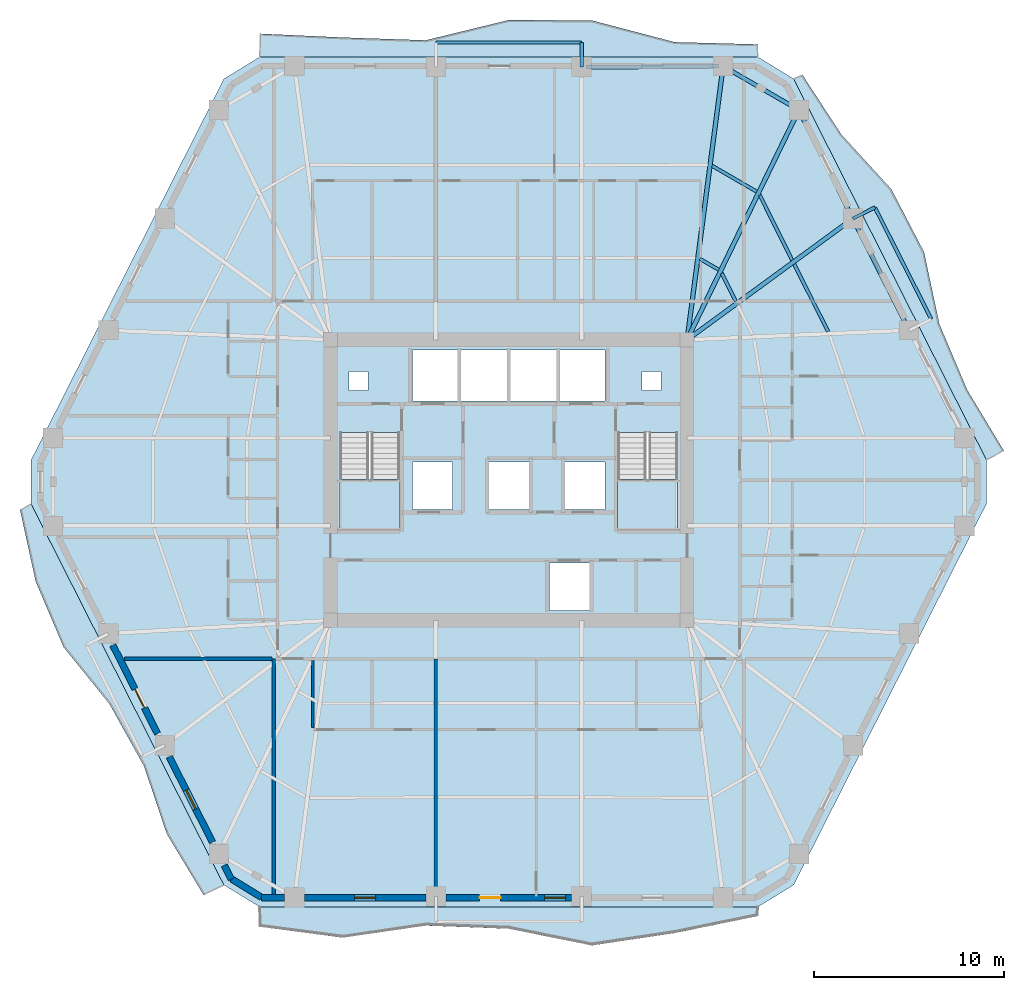
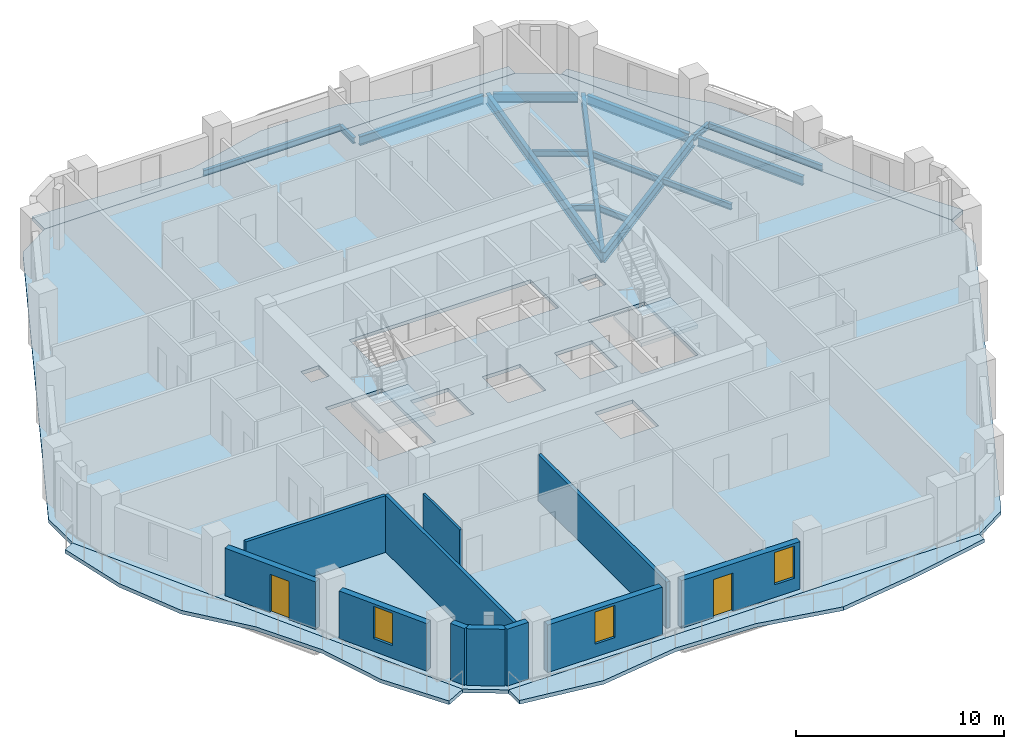
# One storey, part 3 of 11: 16 beams, 11 walls, 7 slabs, 3 windows, 2 doors, 5 openings, 2 elements without a shape of their own.
"""IFC4 building model written with IfcOpenShell, lengths in metres."""

import ifcopenshell
import ifcopenshell.guid

model = None  # the IFC model being written
_history = None  # IfcOwnerHistory: only IFC2X3 demands one
_inside = {}  # id of a spatial element -> (the spatial element, [elements in it])
_under = {}  # id of a project, library or spatial element -> (it, [spatial elements below it])
_declared = {}  # id of a project -> (the project, [libraries it declares])
_typed = {}  # id of a type object -> (the type object, [elements of that type])
_made_of = {}  # id of a material, layer set ... -> (it, [elements and type objects made of it])


def new_model(schema):
    """Start an empty IFC model of exactly this schema.

    Asked for "IFC4X3", IfcOpenShell would pick the latest addendum, in which some entities
    have other attributes; the version numbers below select the first issue.
    IFC2X3 requires an IfcOwnerHistory on every rooted entity: one is made here for all.
    """
    global model, _history
    if schema == "IFC4X3":
        model = ifcopenshell.file(schema_version=(4, 3, 0, 0))
    else:
        model = ifcopenshell.file(schema=schema)
    _inside.clear()
    _under.clear()
    _declared.clear()
    _typed.clear()
    _made_of.clear()
    _history = None
    if model.schema == "IFC2X3":
        org = make("IfcOrganization", Name="unknown")
        user = make(
            "IfcPersonAndOrganization",
            ThePerson=make("IfcPerson", FamilyName="unknown"),
            TheOrganization=org,
        )
        app = make(
            "IfcApplication",
            ApplicationDeveloper=org,
            Version="unknown",
            ApplicationFullName="unknown",
            ApplicationIdentifier="unknown",
        )
        _history = make(
            "IfcOwnerHistory",
            OwningUser=user,
            OwningApplication=app,
            ChangeAction="ADDED",
            CreationDate=0,
        )
    return model


def make(cls, **values):
    """One entity of the class cls with the attributes given. An attribute that is None is left unset."""
    return model.create_entity(
        cls, **{name: value for name, value in values.items() if value is not None}
    )


def rooted(cls, **values):
    """An entity with a GlobalId (a new one), such as an element, a storey or a relation."""
    return make(cls, GlobalId=ifcopenshell.guid.new(), OwnerHistory=_history, **values)


def si_unit(unit_type, name, prefix=None):
    """IfcSIUnit, for example si_unit("LENGTHUNIT", "METRE", prefix="MILLI")."""
    return make("IfcSIUnit", UnitType=unit_type, Prefix=prefix, Name=name)


def assignment(units):
    """IfcUnitAssignment: the units of a project."""
    return None if units is None else make("IfcUnitAssignment", Units=units)


def point(xyz):
    """IfcCartesianPoint."""
    return None if xyz is None else make("IfcCartesianPoint", Coordinates=xyz)


def direction(xyz):
    """IfcDirection."""
    return None if xyz is None else make("IfcDirection", DirectionRatios=xyz)


def frame(location, z_axis=None, x_axis=None):
    """IfcAxis2Placement3D, a coordinate frame: its origin and axes. An axis left out is left unset."""
    return make(
        "IfcAxis2Placement3D",
        Location=point(location),
        Axis=direction(z_axis),
        RefDirection=direction(x_axis),
    )


def frame_2d(location, x_axis=None):
    """IfcAxis2Placement2D, a coordinate frame in the plane: its origin and x axis."""
    return make(
        "IfcAxis2Placement2D", Location=point(location), RefDirection=direction(x_axis)
    )


def origin():
    """The frame at (0, 0, 0) with its axes left unset."""
    return frame((0.0, 0.0, 0.0))


def origin_2d():
    """The frame at (0, 0) in the plane with its x axis left unset."""
    return frame_2d((0.0, 0.0))


def place(relative_to, where):
    """IfcLocalPlacement: puts the frame where relative to a parent placement (None: the world)."""
    return make(
        "IfcLocalPlacement", PlacementRelTo=relative_to, RelativePlacement=where
    )


def context(
    kind, dimensions, precision=None, world=None, true_north=None, identifier=None
):
    """IfcGeometricRepresentationContext, for example the 3D "Model" context."""
    return make(
        "IfcGeometricRepresentationContext",
        ContextIdentifier=identifier,
        ContextType=kind,
        CoordinateSpaceDimension=dimensions,
        Precision=precision,
        WorldCoordinateSystem=world,
        TrueNorth=true_north,
    )


def subcontext(parent, identifier, kind, view, scale=None):
    """IfcGeometricRepresentationSubContext, for example "Body" below "Model"."""
    return make(
        "IfcGeometricRepresentationSubContext",
        ContextIdentifier=identifier,
        ContextType=kind,
        ParentContext=parent,
        TargetScale=scale,
        TargetView=view,
    )


def project(units=None, contexts=None):
    """IfcProject with its units and contexts."""
    return rooted(
        "IfcProject",
        Name="project",
        RepresentationContexts=contexts,
        UnitsInContext=assignment(units),
    )


def spatial(cls, under=None, at=None, **own):
    """A site, building, storey or space (cls), placed at a placement, below another one or the project."""
    s = rooted(cls, ObjectPlacement=at, **own)
    if under is not None:
        _under.setdefault(under.id(), (under, []))[1].append(s)
    return s


def polyline(points):
    """IfcPolyline through the points."""
    return make("IfcPolyline", Points=[point(p) for p in points])


def profile(cls, at=None, kind="AREA", **sizes):
    """A parametric profile (cls). Its sizes go by their IFC names, for example OverallWidth=200.0."""
    return make(cls, ProfileType=kind, Position=at, **sizes)


def rectangle(**sizes):
    """IfcRectangleProfileDef."""
    return profile("IfcRectangleProfileDef", **sizes)


def i_section(**sizes):
    """IfcIShapeProfileDef."""
    return profile("IfcIShapeProfileDef", **sizes)


def outline(outer, holes=None, kind="AREA"):
    """IfcArbitraryClosedProfileDef: a profile drawn as a closed curve; with holes, ...WithVoids."""
    if holes is None:
        return make("IfcArbitraryClosedProfileDef", ProfileType=kind, OuterCurve=outer)
    return make(
        "IfcArbitraryProfileDefWithVoids",
        ProfileType=kind,
        OuterCurve=outer,
        InnerCurves=holes,
    )


def extrude(swept, where, along, depth):
    """IfcExtrudedAreaSolid: the profile swept, set in the frame where, extruded along a direction by depth."""
    return make(
        "IfcExtrudedAreaSolid",
        SweptArea=swept,
        Position=where,
        ExtrudedDirection=direction(along),
        Depth=depth,
    )


def shape(context_of_items, identifier, shape_type, items):
    """IfcShapeRepresentation: the items that make up one representation, for example the "Body"."""
    return make(
        "IfcShapeRepresentation",
        ContextOfItems=context_of_items,
        RepresentationIdentifier=identifier,
        RepresentationType=shape_type,
        Items=items,
    )


def material(Name=None, Category=None):
    """IfcMaterial."""
    return make("IfcMaterial", Name=Name, Category=Category)


def layer(
    of_material, thickness, ventilated=None, Name=None, Category=None, Priority=None
):
    """IfcMaterialLayer: one layer of a wall or slab, of a material (None: an air gap)."""
    return make(
        "IfcMaterialLayer",
        Material=of_material,
        LayerThickness=thickness,
        IsVentilated=ventilated,
        Name=Name,
        Category=Category,
        Priority=Priority,
    )


def layer_set(layers, Name=None):
    """IfcMaterialLayerSet."""
    return make("IfcMaterialLayerSet", MaterialLayers=layers, LayerSetName=Name)


def material_profile(
    of_material, cross_section, Name=None, Category=None, Priority=None
):
    """IfcMaterialProfile: a cross section and its material."""
    return make(
        "IfcMaterialProfile",
        Name=Name,
        Material=of_material,
        Profile=cross_section,
        Priority=Priority,
        Category=Category,
    )


def profile_set(profiles, Name=None, composite=None):
    """IfcMaterialProfileSet."""
    return make(
        "IfcMaterialProfileSet",
        Name=Name,
        MaterialProfiles=profiles,
        CompositeProfile=composite,
    )


def made_of(thing, what):
    """Note that an element or type object is made of a material, layer set ...; save() writes the relation."""
    if what is not None:
        _made_of.setdefault(what.id(), (what, []))[1].append(thing)
    return thing


def type_object(cls, material=None, **own):
    """A type object (cls), such as IfcWallType, which elements share."""
    return made_of(rooted(cls, **own), material)


def element(
    cls,
    number,
    at=None,
    inside=None,
    cuts=None,
    type_object=None,
    material=None,
    context=None,
    identifier="Body",
    shape_type=None,
    held_by="IfcProductDefinitionShape",
    body=None,
    shapes=None,
    **own,
):
    """One element of the class cls, such as IfcWall. Its Tag is "e" and its number.

    at: its placement. inside: the storey or other place that contains it. cuts: it is an
    opening in that element (IfcRelVoidsElement). A single representation is given by context,
    identifier, shape_type and body (its items); several are given by shapes. held_by: the class
    of the entity that holds the representations. save() writes the other relations.
    """
    e = rooted(cls, Tag="e%d" % number, ObjectPlacement=at, **own)
    if body is not None:
        shapes = [shape(context, identifier, shape_type, body)]
    if shapes is not None:
        e.Representation = make(held_by, Representations=shapes)
    if inside is not None:
        _inside.setdefault(inside.id(), (inside, []))[1].append(e)
    if cuts is not None:
        rooted(
            "IfcRelVoidsElement", RelatingBuildingElement=cuts, RelatedOpeningElement=e
        )
    if type_object is not None:
        _typed.setdefault(type_object.id(), (type_object, []))[1].append(e)
    return made_of(e, material)


def fill(opening, filler):
    """IfcRelFillsElement: the door or window that sits in an opening."""
    return rooted(
        "IfcRelFillsElement",
        RelatingOpeningElement=opening,
        RelatedBuildingElement=filler,
    )


def aggregate(whole, parts):
    """IfcRelAggregates: a whole, such as a stair, and the parts it consists of."""
    return rooted("IfcRelAggregates", RelatingObject=whole, RelatedObjects=parts)


def save(model, path):
    """Write the relations noted so far, then the file.

    IfcRelAggregates (storeys below a building ...), IfcRelContainedInSpatialStructure (elements
    in a storey), IfcRelDefinesByType, IfcRelAssociatesMaterial and IfcRelDeclares: one each for
    every whole, place, type object, material and project.
    """
    for whole, parts in _under.values():
        aggregate(whole, parts)
    for where, things in _inside.values():
        rooted(
            "IfcRelContainedInSpatialStructure",
            RelatedElements=things,
            RelatingStructure=where,
        )
    for kind, things in _typed.values():
        rooted("IfcRelDefinesByType", RelatedObjects=things, RelatingType=kind)
    for what, things in _made_of.values():
        rooted("IfcRelAssociatesMaterial", RelatedObjects=things, RelatingMaterial=what)
    for by, libraries in _declared.values():
        rooted("IfcRelDeclares", RelatingContext=by, RelatedDefinitions=libraries)
    model.write(path)


model = new_model("IFC4")

# Units and contexts
model_context = context("Model", 3, precision=1e-05, world=origin(), true_north=direction((0.0, 1.0)))
body_context = subcontext(model_context, "Body", "Model", "MODEL_VIEW")
ifc_project = project(units=[si_unit("LENGTHUNIT", "METRE"), si_unit("AREAUNIT", "SQUARE_METRE"), si_unit("VOLUMEUNIT", "CUBIC_METRE"), si_unit("PLANEANGLEUNIT", "RADIAN"), si_unit("MASSUNIT", "GRAM", prefix="KILO")], contexts=[model_context])

# Site, building, storey
site_placement = place(None, origin())
site = spatial("IfcSite", under=ifc_project, at=site_placement, CompositionType="ELEMENT")
building_placement = place(site_placement, origin())
building = spatial("IfcBuilding", under=site, at=building_placement, Name="Cinnabar Lancet Tower", CompositionType="ELEMENT")
storey_placement = place(building_placement, frame((0.0, 0.0, 133.89990234375)))
storey = spatial("IfcBuildingStorey", under=building, at=storey_placement, Name="L35", CompositionType="ELEMENT", Elevation=133.89990234375)

# Beams
ifc_material_1 = material(Name="Structural steel S355", Category="steel")
ifc_material_profile_1 = material_profile(ifc_material_1, i_section(OverallWidth=0.17138671875, OverallDepth=0.35498046875, WebThickness=0.00732421875, FlangeThickness=0.011474609375, FilletRadius=0.01025390625, at=origin_2d()), Name="UKB 356x171x51")
ifc_profile_set_1 = profile_set([ifc_material_profile_1], Name="Structural steel S355")
beam_type_1 = type_object("IfcBeamType", Name="STR-BM-JST-356", PredefinedType="JOIST", material=ifc_profile_set_1)
beam_1_placement = place(storey_placement, frame((49.19189453125, 33.70703125, -0.387939453125), z_axis=(-0.450606998706, 0.892722427587, 0.0), x_axis=(-0.892722427587, -0.450606998706, 0.0)))
element("IfcBeam", 1, at=beam_1_placement, inside=storey, type_object=beam_type_1, Name="L35 Secondary Floor Joist 27", PredefinedType="JOIST", context=body_context, shape_type="SweptSolid", body=[
    extrude(i_section(OverallWidth=0.17138671875, OverallDepth=0.35498046875, WebThickness=0.00732421875, FlangeThickness=0.011474609375, FilletRadius=0.01025390625, at=origin_2d()), origin(), (0.0, 0.0, 1.0), 3.967529296875),
])
beam_2_placement = place(storey_placement, frame((47.300048828125, 37.455078125, -0.387939453125), z_axis=(-0.445116798807, 0.895472520751, 0.0), x_axis=(-0.895472520751, -0.445116798807, 0.0)))
element("IfcBeam", 2, at=beam_2_placement, inside=storey, type_object=beam_type_1, Name="L35 Secondary Floor Joist 29", PredefinedType="JOIST", context=body_context, shape_type="SweptSolid", body=[
    extrude(i_section(OverallWidth=0.17138671875, OverallDepth=0.35498046875, WebThickness=0.00732421875, FlangeThickness=0.011474609375, FilletRadius=0.01025390625, at=origin_2d()), origin(), (0.0, 0.0, 1.0), 3.8212890625),
])
beam_3_placement = place(storey_placement, frame((44.337890625, 35.2900390625, -0.387939453125), z_axis=(-0.445677136949, 0.895193772097, 0.0), x_axis=(-0.895193772097, -0.445677136949, 0.0)))
element("IfcBeam", 3, at=beam_3_placement, inside=storey, type_object=beam_type_1, Name="L35 Secondary Floor Joist 30", PredefinedType="JOIST", context=body_context, shape_type="SweptSolid", body=[
    extrude(i_section(OverallWidth=0.17138671875, OverallDepth=0.35498046875, WebThickness=0.00732421875, FlangeThickness=0.011474609375, FilletRadius=0.01025390625, at=origin_2d()), origin(), (0.0, 0.0, 1.0), 1.6533203125),
])
beam_4_placement = place(storey_placement, frame((45.43505859375, 41.06298828125, -0.387939453125), z_axis=(-0.865172906898, 0.501473669469, 0.0), x_axis=(-0.501473669469, -0.865172906898, 0.0)))
element("IfcBeam", 4, at=beam_4_placement, inside=storey, type_object=beam_type_1, Name="L35 Secondary Floor Joist 31", PredefinedType="JOIST", context=body_context, shape_type="SweptSolid", body=[
    extrude(i_section(OverallWidth=0.17138671875, OverallDepth=0.35498046875, WebThickness=0.00732421875, FlangeThickness=0.011474609375, FilletRadius=0.01025390625, at=origin_2d()), origin(), (0.0, 0.0, 1.0), 2.705810546875),
])
beam_5_placement = place(storey_placement, frame((43.43798828125, 36.9560546875, -0.387939453125), z_axis=(-0.865055308165, 0.501676503154, 0.0), x_axis=(-0.501676503154, -0.865055308165, 0.0)))
element("IfcBeam", 5, at=beam_5_placement, inside=storey, type_object=beam_type_1, Name="L35 Secondary Floor Joist 32", PredefinedType="JOIST", context=body_context, shape_type="SweptSolid", body=[
    extrude(i_section(OverallWidth=0.17138671875, OverallDepth=0.35498046875, WebThickness=0.00732421875, FlangeThickness=0.011474609375, FilletRadius=0.01025390625, at=origin_2d()), origin(), (0.0, 0.0, 1.0), 1.14208984375),
])
ifc_material_2 = material(Name="Structural steel S355", Category="steel")
ifc_material_profile_2 = material_profile(ifc_material_2, i_section(OverallWidth=0.209228515625, OverallDepth=0.533203125, WebThickness=0.010009765625, FlangeThickness=0.015625, FilletRadius=0.0126953125, at=origin_2d()), Name="UKB 533x210x92")
ifc_profile_set_2 = profile_set([ifc_material_profile_2], Name="Structural steel S355")
beam_type_2 = type_object("IfcBeamType", Name="STR-BM-SPN-533", PredefinedType="SPANDREL", material=ifc_profile_set_2)
beam_6_placement = place(storey_placement, frame((53.339111328125, 33.9990234375, -0.476806640625), z_axis=(-0.450570325924, 0.892740937449, 0.0), x_axis=(-0.892740937449, -0.450570325924, 0.0)))
element("IfcBeam", 6, at=beam_6_placement, inside=storey, type_object=beam_type_2, Name="L35 Perimeter Spandrel 10", PredefinedType="SPANDREL", context=body_context, shape_type="SweptSolid", body=[
    extrude(i_section(OverallWidth=0.209228515625, OverallDepth=0.533203125, WebThickness=0.010009765625, FlangeThickness=0.015625, FilletRadius=0.0126953125, at=origin_2d()), origin(), (0.0, 0.0, 1.0), 6.07470703125),
])
beam_7_placement = place(storey_placement, frame((50.3779296875, 39.868896484375, -0.476806640625), z_axis=(-0.445501068635, 0.89528140707, 0.0), x_axis=(-0.89528140707, -0.445501068635, 0.0)))
element("IfcBeam", 7, at=beam_7_placement, inside=storey, type_object=beam_type_2, Name="L35 Perimeter Spandrel 11", PredefinedType="SPANDREL", context=body_context, shape_type="SweptSolid", body=[
    extrude(i_section(OverallWidth=0.209228515625, OverallDepth=0.533203125, WebThickness=0.010009765625, FlangeThickness=0.015625, FilletRadius=0.0126953125, at=origin_2d()), origin(), (0.0, 0.0, 1.0), 5.87646484375),
])
beam_8_placement = place(storey_placement, frame((47.43310546875, 45.47900390625, -0.476806640625), z_axis=(-0.865138129765, 0.5015336643, 0.0), x_axis=(-0.5015336643, -0.865138129765, 0.0)))
element("IfcBeam", 8, at=beam_8_placement, inside=storey, type_object=beam_type_2, Name="L35 Perimeter Spandrel 12", PredefinedType="SPANDREL", context=body_context, shape_type="SweptSolid", body=[
    extrude(i_section(OverallWidth=0.209228515625, OverallDepth=0.533203125, WebThickness=0.010009765625, FlangeThickness=0.015625, FilletRadius=0.0126953125, at=origin_2d()), origin(), (0.0, 0.0, 1.0), 4.10107421875),
])
beam_9_placement = place(storey_placement, frame((43.4189453125, 47.658935546875, -0.476806640625), z_axis=(-0.999975228682, -0.007038609338, 0.0), x_axis=(0.007038609338, -0.999975228682, 0.0)))
element("IfcBeam", 9, at=beam_9_placement, inside=storey, type_object=beam_type_2, Name="L35 Perimeter Spandrel 13", PredefinedType="SPANDREL", context=body_context, shape_type="SweptSolid", body=[
    extrude(i_section(OverallWidth=0.209228515625, OverallDepth=0.533203125, WebThickness=0.010009765625, FlangeThickness=0.015625, FilletRadius=0.0126953125, at=origin_2d()), origin(), (0.0, 0.0, 1.0), 6.937255859375),
])
ifc_material_3 = material(Name="Structural steel S355", Category="steel")
ifc_material_profile_3 = material_profile(ifc_material_3, i_section(OverallWidth=0.228271484375, OverallDepth=0.607666015625, WebThickness=0.010986328125, FlangeThickness=0.017333984375, FilletRadius=0.0126953125, at=origin_2d()), Name="UKB 610x229x113")
ifc_profile_set_3 = profile_set([ifc_material_profile_3], Name="Structural steel S355")
beam_type_3 = type_object("IfcBeamType", Name="STR-BM-UKB610-113", PredefinedType="BEAM", material=ifc_profile_set_3)
beam_10_placement = place(storey_placement, frame((50.489013671875, 39.64501953125, -0.513916015625), z_axis=(-0.807297870919, -0.590144175273, 0.0), x_axis=(0.590144175273, -0.807297870919, 0.0)))
element("IfcBeam", 10, at=beam_10_placement, inside=storey, type_object=beam_type_3, Name="L35 Corner Collector Girder 3", PredefinedType="BEAM", context=body_context, shape_type="SweptSolid", body=[
    extrude(i_section(OverallWidth=0.228271484375, OverallDepth=0.607666015625, WebThickness=0.010986328125, FlangeThickness=0.017333984375, FilletRadius=0.0126953125, at=origin_2d()), origin(), (0.0, 0.0, 1.0), 10.794189453125),
])
beam_11_placement = place(storey_placement, frame((47.64892578125, 45.35400390625, -0.513916015625), z_axis=(-0.437327473227, -0.899302330232, 0.0), x_axis=(0.899302330232, -0.437327473227, 0.0)))
element("IfcBeam", 11, at=beam_11_placement, inside=storey, type_object=beam_type_3, Name="L35 Primary Floor Girder 12", PredefinedType="BEAM", context=body_context, shape_type="SweptSolid", body=[
    extrude(i_section(OverallWidth=0.228271484375, OverallDepth=0.607666015625, WebThickness=0.010986328125, FlangeThickness=0.017333984375, FilletRadius=0.0126953125, at=origin_2d()), origin(), (0.0, 0.0, 1.0), 13.431640625),
])
beam_12_placement = place(storey_placement, frame((43.6689453125, 47.660888671875, -0.513916015625), z_axis=(-0.130532420418, -0.991444041396, 0.0), x_axis=(0.991444041396, -0.130532420418, 0.0)))
element("IfcBeam", 12, at=beam_12_placement, inside=storey, type_object=beam_type_3, Name="L35 Primary Floor Girder 13", PredefinedType="BEAM", context=body_context, shape_type="SweptSolid", body=[
    extrude(i_section(OverallWidth=0.228271484375, OverallDepth=0.607666015625, WebThickness=0.010986328125, FlangeThickness=0.017333984375, FilletRadius=0.0126953125, at=origin_2d()), origin(), (0.0, 0.0, 1.0), 14.51025390625),
])
ifc_material_4 = material(Name="Structural steel S355", Category="steel")
ifc_material_profile_4 = material_profile(ifc_material_4, i_section(OverallWidth=0.17138671875, OverallDepth=0.35498046875, WebThickness=0.00732421875, FlangeThickness=0.011474609375, FilletRadius=0.01025390625, at=origin_2d()), Name="UKB 356x171x51")
ifc_profile_set_4 = profile_set([ifc_material_profile_4], Name="Structural steel S355")
beam_type_4 = type_object("IfcBeamType", Name="STR-BM-WAV-OUT", PredefinedType="BEAM", material=ifc_profile_set_4)
for number, where, z_axis, x_axis, name in (
    (13, (50.489013671875, 39.64501953125, -0.39794921875), (0.89227592947, 0.451490493464, 0.0), (-0.451490493464, 0.89227592947, 0.0), "L35 Face 3 Balcony Outlooker B"),
    (14, (36.23193359375, 47.60791015625, -0.39794921875), (0.0, 1.0, 0.0), (-1.0, 0.0, 0.0), "L35 Face 4 Balcony Outlooker A"),
):
    element("IfcBeam", number, at=place(storey_placement, frame(where, z_axis=z_axis, x_axis=x_axis)), inside=storey, type_object=beam_type_4, Name=name, PredefinedType="BEAM", context=body_context, shape_type="SweptSolid", body=[
        extrude(i_section(OverallWidth=0.17138671875, OverallDepth=0.35498046875, WebThickness=0.00732421875, FlangeThickness=0.011474609375, FilletRadius=0.01025390625, at=origin_2d()), origin(), (0.0, 0.0, 1.0), 1.300048828125),
    ])
ifc_material_5 = material(Name="Structural steel S355", Category="steel")
ifc_material_profile_5 = material_profile(ifc_material_5, i_section(OverallWidth=0.17138671875, OverallDepth=0.35498046875, WebThickness=0.00732421875, FlangeThickness=0.011474609375, FilletRadius=0.01025390625, at=origin_2d()), Name="UKB 356x171x51")
ifc_profile_set_5 = profile_set([ifc_material_profile_5], Name="Structural steel S355")
beam_type_5 = type_object("IfcBeamType", Name="STR-BM-WAV-TRIM", PredefinedType="SPANDREL", material=ifc_profile_set_5)
beam_13_placement = place(storey_placement, frame((54.612060546875, 34.363037109375, -0.39794921875), z_axis=(-0.450700828166, 0.892675060417, 0.0), x_axis=(-0.892675060417, -0.450700828166, 0.0)))
element("IfcBeam", 15, at=beam_13_placement, inside=storey, type_object=beam_type_5, Name="L35 Face 3 Balcony Edge Trimmer", PredefinedType="SPANDREL", context=body_context, shape_type="SweptSolid", body=[
    extrude(i_section(OverallWidth=0.17138671875, OverallDepth=0.35498046875, WebThickness=0.00732421875, FlangeThickness=0.011474609375, FilletRadius=0.01025390625, at=origin_2d()), origin(), (0.0, 0.0, 1.0), 6.574462890625),
])
beam_14_placement = place(storey_placement, frame((36.23193359375, 48.907958984375, -0.39794921875), z_axis=(-1.0, 0.0, 0.0), x_axis=(0.0, -1.0, 0.0)))
element("IfcBeam", 16, at=beam_14_placement, inside=storey, type_object=beam_type_5, Name="L35 Face 4 Balcony Edge Trimmer", PredefinedType="SPANDREL", context=body_context, shape_type="SweptSolid", body=[
    extrude(i_section(OverallWidth=0.17138671875, OverallDepth=0.35498046875, WebThickness=0.00732421875, FlangeThickness=0.011474609375, FilletRadius=0.01025390625, at=origin_2d()), origin(), (0.0, 0.0, 1.0), 7.663818359375),
])

# Stair, slab
ifc_material_6 = material(Name="Concrete C40/50", Category="concrete")
stair_type = type_object("IfcStairType", Name="ST-CORE", PredefinedType="HALF_TURN_STAIR", material=ifc_material_6)
stair_1_placement = place(storey_placement, origin())
stair_1 = element("IfcStair", 17, at=stair_1_placement, inside=storey, type_object=stair_type, Name="L35 ST-1", PredefinedType="HALF_TURN_STAIR")
ifc_material_7 = material(Name="Concrete C40/50", Category="concrete")
ifc_layer_1 = layer(ifc_material_7, 0.199951171875)
ifc_layer_set_1 = layer_set([ifc_layer_1], Name="Concrete C40/50")
slab_type_1 = type_object("IfcSlabType", Name="LANDING-CORE", PredefinedType="LANDING", material=ifc_layer_set_1)
slab_1_placement = place(storey_placement, frame((0.0, 0.0, 1.5751953125)))
slab_1 = element("IfcSlab", 18, at=slab_1_placement, type_object=slab_type_1, Name="ST-1 landing 1", PredefinedType="LANDING", context=body_context, shape_type="SweptSolid", body=[
    extrude(outline(polyline([(23.52490234375, 25.925048828125), (23.52490234375, 23.25), (26.675048828125, 23.25), (26.675048828125, 25.925048828125), (23.52490234375, 25.925048828125)])), origin(), (0.0, 0.0, 1.0), 0.199951171875),
])
aggregate(stair_1, [slab_1])

stair_2_placement = place(storey_placement, origin())
stair_2 = element("IfcStair", 19, at=stair_2_placement, inside=storey, type_object=stair_type, Name="L35 ST-2", PredefinedType="HALF_TURN_STAIR")
slab_2_placement = place(storey_placement, frame((0.0, 0.0, 1.5751953125)))
slab_2 = element("IfcSlab", 20, at=slab_2_placement, type_object=slab_type_1, Name="ST-2 landing 1", PredefinedType="LANDING", context=body_context, shape_type="SweptSolid", body=[
    extrude(outline(polyline([(38.125, 25.925048828125), (38.125, 23.25), (41.27490234375, 23.25), (41.27490234375, 25.925048828125), (38.125, 25.925048828125)])), origin(), (0.0, 0.0, 1.0), 0.199951171875),
])
aggregate(stair_2, [slab_2])

# Slabs
ifc_material_8 = material(Name="Concrete C40/50", Category="concrete")
ifc_layer_2 = layer(ifc_material_8, 0.2099609375)
ifc_layer_set_2 = layer_set([ifc_layer_2], Name="Concrete C40/50")
slab_type_2 = type_object("IfcSlabType", Name="STR-SLB-FLR-210", PredefinedType="FLOOR", material=ifc_layer_set_2)
slab_3_placement = place(storey_placement, frame((0.0, 0.0, -0.2099609375)))
element("IfcSlab", 21, at=slab_3_placement, inside=storey, type_object=slab_type_2, Name="L35 Structural Floor Slab", PredefinedType="FLOOR", context=body_context, shape_type="SweptSolid", body=[
    extrude(outline(polyline([(17.4208984375, 4.610107421875), (19.30810546875, 3.449951171875), (45.491943359375, 3.449951171875), (47.37890625, 4.610107421875), (57.512939453125, 24.639892578125), (57.512939453125, 26.9599609375), (47.37890625, 46.989990234375), (45.491943359375, 48.14990234375), (19.30810546875, 48.14990234375), (17.4208984375, 46.989990234375), (7.287109375, 26.9599609375), (7.287109375, 24.639892578125), (17.4208984375, 4.610107421875)]), holes=[polyline([(23.52490234375, 23.25), (26.675048828125, 23.25), (26.675048828125, 28.3994140625), (23.52490234375, 28.3994140625), (23.52490234375, 23.25)]), polyline([(38.125, 23.25), (41.27490234375, 23.25), (41.27490234375, 28.3994140625), (38.125, 28.3994140625), (38.125, 23.25)]), polyline([(27.35009765625, 30.050048828125), (37.449951171875, 30.050048828125), (37.449951171875, 32.75), (27.35009765625, 32.75), (27.35009765625, 30.050048828125)]), polyline([(34.550048828125, 19.050048828125), (36.64990234375, 19.050048828125), (36.64990234375, 21.550048828125), (34.550048828125, 21.550048828125), (34.550048828125, 19.050048828125)]), polyline([(27.35009765625, 24.35009765625), (29.449951171875, 24.35009765625), (29.449951171875, 26.85009765625), (27.35009765625, 26.85009765625), (27.35009765625, 24.35009765625)]), polyline([(35.35009765625, 24.35009765625), (37.449951171875, 24.35009765625), (37.449951171875, 26.85009765625), (35.35009765625, 26.85009765625), (35.35009765625, 24.35009765625)]), polyline([(31.35009765625, 24.35009765625), (33.449951171875, 24.35009765625), (33.449951171875, 26.85009765625), (31.35009765625, 26.85009765625), (31.35009765625, 24.35009765625)]), polyline([(24.0, 30.60009765625), (25.0, 30.60009765625), (25.0, 31.60009765625), (24.0, 31.60009765625), (24.0, 30.60009765625)]), polyline([(39.39990234375, 30.60009765625), (40.39990234375, 30.60009765625), (40.39990234375, 31.60009765625), (39.39990234375, 31.60009765625), (39.39990234375, 30.60009765625)])]), origin(), (0.0, 0.0, 1.0), 0.2099609375),
])
ifc_material_9 = material(Name="Concrete C45/55", Category="concrete")
ifc_layer_3 = layer(ifc_material_9, 0.219970703125)
ifc_layer_set_3 = layer_set([ifc_layer_3], Name="Concrete C45/55")
slab_type_3 = type_object("IfcSlabType", Name="STR-SLB-WAV-220", PredefinedType="FLOOR", material=ifc_layer_set_3)
slab_4_placement = place(storey_placement, frame((0.0, 0.0, -0.219970703125)))
element("IfcSlab", 22, at=slab_4_placement, inside=storey, type_object=slab_type_3, Name="L35 Face 1 Undulating Wave Balcony Slab", PredefinedType="FLOOR", context=body_context, shape_type="SweptSolid", body=[
    extrude(outline(polyline([(19.30810546875, 3.449951171875), (19.30810546875, 2.4140625), (23.672119140625, 1.837890625), (28.035888671875, 2.472900390625), (32.39990234375, 2.31103515625), (36.763916015625, 1.428955078125), (41.1279296875, 2.0830078125), (45.491943359375, 2.97607421875), (45.491943359375, 3.449951171875), (19.30810546875, 3.449951171875)])), origin(), (0.0, 0.0, 1.0), 0.219970703125),
])
slab_5_placement = place(storey_placement, frame((0.0, 0.0, -0.219970703125)))
element("IfcSlab", 23, at=slab_5_placement, inside=storey, type_object=slab_type_3, Name="L35 Face 3 Undulating Wave Balcony Slab", PredefinedType="FLOOR", context=body_context, shape_type="SweptSolid", body=[
    extrude(outline(polyline([(57.512939453125, 26.9599609375), (58.43701171875, 27.427978515625), (56.501953125, 30.64111328125), (55.041015625, 34.094970703125), (54.235107421875, 37.8798828125), (52.510009765625, 41.199951171875), (49.887939453125, 44.06591796875), (47.827880859375, 47.217041015625), (47.37890625, 46.989990234375), (57.512939453125, 26.9599609375)])), origin(), (0.0, 0.0, 1.0), 0.219970703125),
])
slab_6_placement = place(storey_placement, frame((0.0, 0.0, -0.219970703125)))
element("IfcSlab", 24, at=slab_6_placement, inside=storey, type_object=slab_type_3, Name="L35 Face 4 Undulating Wave Balcony Slab", PredefinedType="FLOOR", context=body_context, shape_type="SweptSolid", body=[
    extrude(outline(polyline([(45.491943359375, 48.14990234375), (45.491943359375, 48.806884765625), (41.1279296875, 48.923095703125), (36.763916015625, 50.06494140625), (32.39990234375, 50.087890625), (28.035888671875, 49.02099609375), (23.672119140625, 49.16796875), (19.30810546875, 49.367919921875), (19.30810546875, 48.14990234375), (45.491943359375, 48.14990234375)])), origin(), (0.0, 0.0, 1.0), 0.219970703125),
])
slab_7_placement = place(storey_placement, frame((0.0, 0.0, -0.219970703125)))
element("IfcSlab", 25, at=slab_7_placement, inside=storey, type_object=slab_type_3, Name="L35 Face 6 Undulating Wave Balcony Slab", PredefinedType="FLOOR", context=body_context, shape_type="SweptSolid", body=[
    extrude(outline(polyline([(7.287109375, 24.639892578125), (6.700927734375, 24.343017578125), (7.52587890625, 20.568115234375), (8.990966796875, 17.115966796875), (11.39599609375, 14.14111328125), (13.216064453125, 10.867919921875), (14.423095703125, 7.285888671875), (16.360107421875, 4.072998046875), (17.4208984375, 4.610107421875), (7.287109375, 24.639892578125)])), origin(), (0.0, 0.0, 1.0), 0.219970703125),
])

# Walls
ifc_material_10 = material(Name="Fire-rated twin-frame acoustic drywall", Category="gypsum")
ifc_layer_4 = layer(ifc_material_10, 0.179931640625)
ifc_layer_set_4 = layer_set([ifc_layer_4], Name="Fire-rated twin-frame acoustic drywall")
wall_type_1 = type_object("IfcWallType", Name="ARC-WL-PARTY-180", PredefinedType="PARTITIONING", material=ifc_layer_set_4)
wall_1_placement = place(storey_placement, frame((20.050048828125, 4.10498046875, 0.0), z_axis=(0.0, 0.0, 1.0), x_axis=(0.0, 1.0, 0.0)))
element("IfcWall", 26, at=wall_1_placement, inside=storey, type_object=wall_type_1, Name="PW-L35-SPTY-200", PredefinedType="PARTITIONING", context=body_context, shape_type="SweptSolid", body=[
    extrude(rectangle(XDim=12.39501953125, YDim=0.179931640625, at=frame_2d((6.197509765625, 0.0))), origin(), (0.0, 0.0, 1.0), 3.340087890625),
])
wall_2_placement = place(storey_placement, frame((28.568115234375, 4.10498046875, 0.0), z_axis=(0.0, 0.0, 1.0), x_axis=(0.0, 1.0, 0.0)))
element("IfcWall", 27, at=wall_2_placement, inside=storey, type_object=wall_type_1, Name="PW-L35-SPTY-286", PredefinedType="PARTITIONING", context=body_context, shape_type="SweptSolid", body=[
    extrude(rectangle(XDim=12.39501953125, YDim=0.179931640625, at=frame_2d((6.197509765625, 0.0))), origin(), (0.0, 0.0, 1.0), 2.72216796875),
])
wall_3_placement = place(storey_placement, frame((12.18505859375, 16.5, 0.0), z_axis=(0.0, 0.0, 1.0), x_axis=(1.0, 0.0, 0.0)))
element("IfcWall", 28, at=wall_3_placement, inside=storey, type_object=wall_type_1, Name="PW-L35-WSB", PredefinedType="PARTITIONING", context=body_context, shape_type="SweptSolid", body=[
    extrude(rectangle(XDim=7.77001953125, YDim=0.179931640625, at=frame_2d((3.885009765625, 0.0))), origin(), (0.0, 0.0, 1.0), 3.340087890625),
])
ifc_material_11 = material(Name="Gypsum plasterboard stud partition", Category="gypsum")
ifc_layer_5 = layer(ifc_material_11, 0.125)
ifc_layer_set_5 = layer_set([ifc_layer_5], Name="Gypsum plasterboard stud partition")
wall_type_2 = type_object("IfcWallType", Name="ARC-WL-UNIT-125", PredefinedType="PARTITIONING", material=ifc_layer_set_5)
wall_4_placement = place(storey_placement, frame((22.10009765625, 12.886962890625, 0.0), z_axis=(0.0, 0.0, 1.0), x_axis=(0.0, 1.0, 0.0)))
element("IfcWall", 29, at=wall_4_placement, inside=storey, type_object=wall_type_2, Name="UW-L35-S01-FOYE", PredefinedType="PARTITIONING", context=body_context, shape_type="SweptSolid", body=[
    extrude(rectangle(XDim=3.528076171875, YDim=0.125, at=frame_2d((1.76416015625, 0.0))), origin(), (0.0, 0.0, 1.0), 2.72216796875),
])
ifc_material_12 = material(Name="Cinnabar red clay brick", Category="masonry")
ifc_layer_6 = layer(ifc_material_12, 0.340087890625)
ifc_layer_set_6 = layer_set([ifc_layer_6], Name="Cinnabar red clay brick")
wall_type_3 = type_object("IfcWallType", Name="ENV-WL-BRK-RED-340", PredefinedType="STANDARD", material=ifc_layer_set_6)
wall_5_placement = place(storey_placement, frame((17.8291015625, 4.923095703125, 0.0), z_axis=(0.0, 0.0, 1.0), x_axis=(0.851798915137, -0.523868884523, 0.0)))
element("IfcWall", 30, at=wall_5_placement, inside=storey, type_object=wall_type_3, Name="L35 Chamfered Corner Brick Pier 1.1", PredefinedType="STANDARD", context=body_context, shape_type="SweptSolid", body=[
    extrude(rectangle(XDim=1.847900390625, YDim=0.340087890625, at=frame_2d((0.923828125, 0.0))), origin(), (0.0, 0.0, 1.0), 3.340087890625),
])
wall_6_placement = place(storey_placement, frame((19.39794921875, 3.929931640625, 0.0), z_axis=(0.0, 0.0, 1.0), x_axis=(1.0, 0.0, 0.0)))
element("IfcWall", 31, at=wall_6_placement, inside=storey, type_object=wall_type_3, Name="L35 Face 1 Masonry Bay Wall 1", PredefinedType="STANDARD", context=body_context, shape_type="SweptSolid", body=[
    extrude(rectangle(XDim=1.2041015625, YDim=0.340087890625, at=frame_2d((0.60205078125, 0.0))), origin(), (0.0, 0.0, 1.0), 3.340087890625),
])

# Wall, opening, window
wall_7_placement = place(storey_placement, frame((21.659912109375, 3.929931640625, 0.0), z_axis=(0.0, 0.0, 1.0), x_axis=(1.0, 0.0, 0.0)))
wall_7 = element("IfcWall", 32, at=wall_7_placement, inside=storey, type_object=wall_type_3, Name="L35 Face 1 Masonry Bay Wall 2", PredefinedType="STANDARD", context=body_context, shape_type="SweptSolid", body=[
    extrude(rectangle(XDim=6.379150390625, YDim=0.340087890625, at=frame_2d((3.189453125, 0.0))), origin(), (0.0, 0.0, 1.0), 2.797119140625),
])
opening_1_placement = place(wall_7_placement, frame((2.639892578125, 0.0, 0.75)))
opening_1 = element("IfcOpeningElement", 33, at=opening_1_placement, cuts=wall_7, Name="Opening WN-04", PredefinedType="OPENING", context=body_context, shape_type="SweptSolid", body=[
    extrude(rectangle(XDim=1.10009765625, YDim=1.89697265625, at=frame_2d((0.550048828125, 0.948486328125))), frame((0.0, 0.179931640625, 0.0), z_axis=(0.0, -1.0, 0.0), x_axis=(1.0, 0.0, 0.0)), (0.0, 0.0, 1.0), 0.360107421875),
])
ifc_material_13 = material(Name="Thermally broken bronze-anodized aluminium tall lancet window", Category="aluminium")
window_type = type_object("IfcWindowType", Name="ENV-WN-LANCET-1100", PartitioningType="SINGLE_PANEL", PredefinedType="WINDOW", material=ifc_material_13)
window_1_placement = place(opening_1_placement, origin())
window_1 = element("IfcWindow", 34, at=window_1_placement, inside=storey, type_object=window_type, Name="L35 Face 1 Gothic Lancet Window 2", OverallHeight=1.89697265625, OverallWidth=1.10009765625, PartitioningType="SINGLE_PANEL", PredefinedType="WINDOW", context=body_context, shape_type="SweptSolid", body=[
    extrude(rectangle(XDim=1.10009765625, YDim=1.89697265625, at=frame_2d((0.550048828125, 0.948486328125))), frame((0.0, 0.030029296875, 0.0), z_axis=(0.0, -1.0, 0.0), x_axis=(1.0, 0.0, 0.0)), (0.0, 0.0, 1.0), 0.06005859375),
])
fill(opening_1, window_1)

# Wall, openings, door, window
wall_8_placement = place(storey_placement, frame((29.096923828125, 3.929931640625, 0.0), z_axis=(0.0, 0.0, 1.0), x_axis=(1.0, 0.0, 0.0)))
wall_8 = element("IfcWall", 35, at=wall_8_placement, inside=storey, type_object=wall_type_3, Name="L35 Face 1 Masonry Bay Wall 3", PredefinedType="STANDARD", context=body_context, shape_type="SweptSolid", body=[
    extrude(rectangle(XDim=6.60595703125, YDim=0.340087890625, at=frame_2d((3.302978515625, 0.0))), origin(), (0.0, 0.0, 1.0), 2.797119140625),
])
opening_2_placement = place(wall_8_placement, frame((1.77490234375, 0.0, 0.0)))
opening_2 = element("IfcOpeningElement", 36, at=opening_2_placement, cuts=wall_8, Name="Opening TD-01", PredefinedType="OPENING", context=body_context, shape_type="SweptSolid", body=[
    extrude(rectangle(XDim=1.10009765625, YDim=2.25, at=frame_2d((0.550048828125, 1.125))), frame((0.0, 0.179931640625, 0.0), z_axis=(0.0, -1.0, 0.0), x_axis=(1.0, 0.0, 0.0)), (0.0, 0.0, 1.0), 0.360107421875),
])
opening_3_placement = place(wall_8_placement, frame((5.18603515625, 0.0, 0.75)))
opening_3 = element("IfcOpeningElement", 37, at=opening_3_placement, cuts=wall_8, Name="Opening WN-04", PredefinedType="OPENING", context=body_context, shape_type="SweptSolid", body=[
    extrude(rectangle(XDim=1.10009765625, YDim=1.89697265625, at=frame_2d((0.550048828125, 0.948486328125))), frame((0.0, 0.179931640625, 0.0), z_axis=(0.0, -1.0, 0.0), x_axis=(1.0, 0.0, 0.0)), (0.0, 0.0, 1.0), 0.360107421875),
])
ifc_material_14 = material(Name="Thermally broken low-E glazed balcony terrace door", Category="wood")
door_type = type_object("IfcDoorType", Name="ARC-DR-BALC", OperationType="NOTDEFINED", PredefinedType="DOOR", material=ifc_material_14)
door_1_placement = place(opening_2_placement, origin())
door_1 = element("IfcDoor", 38, at=door_1_placement, inside=storey, type_object=door_type, Name="L35 Face 1 Glazed Terrace Door", OperationType="SINGLE_SWING_RIGHT", OverallHeight=2.25, OverallWidth=1.10009765625, PredefinedType="DOOR", context=body_context, shape_type="SweptSolid", body=[
    extrude(rectangle(XDim=1.10009765625, YDim=2.25, at=frame_2d((0.550048828125, 1.125))), frame((0.0, 0.02490234375, 0.0), z_axis=(0.0, -1.0, 0.0), x_axis=(1.0, 0.0, 0.0)), (0.0, 0.0, 1.0), 0.050048828125),
])
fill(opening_2, door_1)
window_2_placement = place(opening_3_placement, origin())
window_2 = element("IfcWindow", 39, at=window_2_placement, inside=storey, type_object=window_type, Name="L35 Split-Bay Gothic Lancet Window 102", OverallHeight=1.89697265625, OverallWidth=1.10009765625, PartitioningType="SINGLE_PANEL", PredefinedType="WINDOW", context=body_context, shape_type="SweptSolid", body=[
    extrude(rectangle(XDim=1.10009765625, YDim=1.89697265625, at=frame_2d((0.550048828125, 0.948486328125))), frame((0.0, 0.030029296875, 0.0), z_axis=(0.0, -1.0, 0.0), x_axis=(1.0, 0.0, 0.0)), (0.0, 0.0, 1.0), 0.06005859375),
])
fill(opening_3, window_2)

# Wall, opening, door
wall_9_placement = place(storey_placement, frame((11.580078125, 17.218017578125, 0.0), z_axis=(0.0, 0.0, 1.0), x_axis=(0.451567731634, -0.892236842855, 0.0)))
wall_9 = element("IfcWall", 40, at=wall_9_placement, inside=storey, type_object=wall_type_3, Name="L35 Face 6 Masonry Bay Wall 3", PredefinedType="STANDARD", context=body_context, shape_type="SweptSolid", body=[
    extrude(rectangle(XDim=5.219482421875, YDim=0.340087890625, at=frame_2d((2.60986328125, 0.0))), origin(), (0.0, 0.0, 1.0), 2.797119140625),
])
opening_4_placement = place(wall_9_placement, frame((2.5869140625, 0.0, 0.0)))
opening_4 = element("IfcOpeningElement", 41, at=opening_4_placement, cuts=wall_9, Name="Opening TD-01", PredefinedType="OPENING", context=body_context, shape_type="SweptSolid", body=[
    extrude(rectangle(XDim=1.10009765625, YDim=2.25, at=frame_2d((0.550048828125, 1.125))), frame((0.0, 0.179931640625, 0.0), z_axis=(0.0, -1.0, 0.0), x_axis=(1.0, 0.0, 0.0)), (0.0, 0.0, 1.0), 0.360107421875),
])
door_2_placement = place(opening_4_placement, origin())
door_2 = element("IfcDoor", 42, at=door_2_placement, inside=storey, type_object=door_type, Name="L35 Face 6 Glazed Terrace Door", OperationType="SINGLE_SWING_LEFT", OverallHeight=2.25, OverallWidth=1.10009765625, PredefinedType="DOOR", context=body_context, shape_type="SweptSolid", body=[
    extrude(rectangle(XDim=1.10009765625, YDim=2.25, at=frame_2d((0.550048828125, 1.125))), frame((0.0, 0.02490234375, 0.0), z_axis=(0.0, -1.0, 0.0), x_axis=(1.0, 0.0, 0.0)), (0.0, 0.0, 1.0), 0.050048828125),
])
fill(opening_4, door_2)

# Wall, opening, window
wall_10_placement = place(storey_placement, frame((14.549072265625, 11.34912109375, 0.0), z_axis=(0.0, 0.0, 1.0), x_axis=(0.451548465867, -0.892246593142, 0.0)))
wall_10 = element("IfcWall", 43, at=wall_10_placement, inside=storey, type_object=wall_type_3, Name="L35 Face 6 Masonry Bay Wall 4", PredefinedType="STANDARD", context=body_context, shape_type="SweptSolid", body=[
    extrude(rectangle(XDim=5.040283203125, YDim=0.340087890625, at=frame_2d((2.52001953125, 0.0))), origin(), (0.0, 0.0, 1.0), 2.797119140625),
])
opening_5_placement = place(wall_10_placement, frame((1.969970703125, 0.0, 0.75)))
opening_5 = element("IfcOpeningElement", 44, at=opening_5_placement, cuts=wall_10, Name="Opening WN-04", PredefinedType="OPENING", context=body_context, shape_type="SweptSolid", body=[
    extrude(rectangle(XDim=1.10009765625, YDim=1.89697265625, at=frame_2d((0.550048828125, 0.948486328125))), frame((0.0, 0.179931640625, 0.0), z_axis=(0.0, -1.0, 0.0), x_axis=(1.0, 0.0, 0.0)), (0.0, 0.0, 1.0), 0.360107421875),
])
window_3_placement = place(opening_5_placement, origin())
window_3 = element("IfcWindow", 45, at=window_3_placement, inside=storey, type_object=window_type, Name="L35 Face 6 Gothic Lancet Window 4", OverallHeight=1.89697265625, OverallWidth=1.10009765625, PartitioningType="SINGLE_PANEL", PredefinedType="WINDOW", context=body_context, shape_type="SweptSolid", body=[
    extrude(rectangle(XDim=1.10009765625, YDim=1.89697265625, at=frame_2d((0.550048828125, 0.948486328125))), frame((0.0, 0.030029296875, 0.0), z_axis=(0.0, -1.0, 0.0), x_axis=(1.0, 0.0, 0.0)), (0.0, 0.0, 1.0), 0.06005859375),
])
fill(opening_5, window_3)

# Wall
wall_11_placement = place(storey_placement, frame((17.43798828125, 5.639892578125, 0.0), z_axis=(0.0, 0.0, 1.0), x_axis=(0.45172514337, -0.892157158155, 0.0)))
element("IfcWall", 46, at=wall_11_placement, inside=storey, type_object=wall_type_3, Name="L35 Face 6 Masonry Bay Wall 5", PredefinedType="STANDARD", context=body_context, shape_type="SweptSolid", body=[
    extrude(rectangle(XDim=0.821533203125, YDim=0.340087890625, at=frame_2d((0.41064453125, 0.0))), origin(), (0.0, 0.0, 1.0), 3.340087890625),
])

save(model, "model.ifc")
